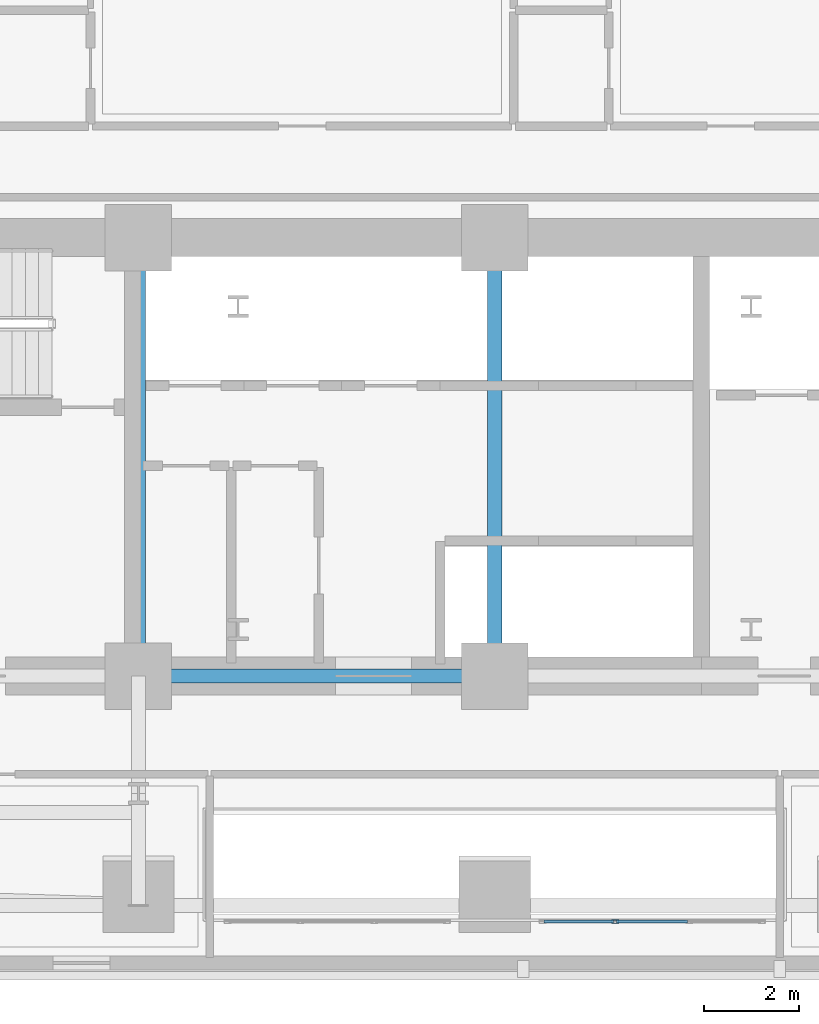
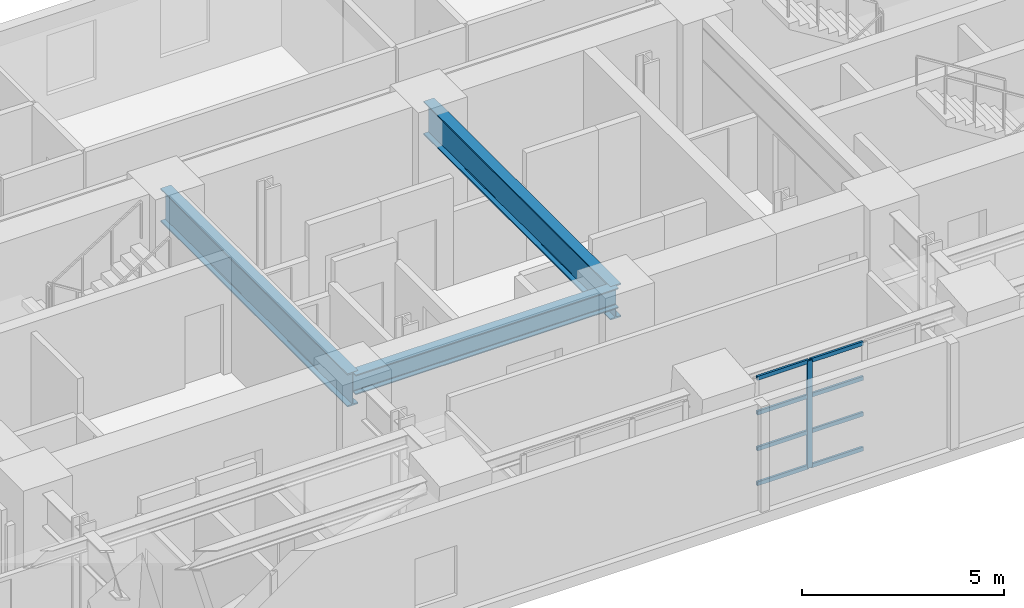
# One storey, part 3 of 16: 9 members, 3 beams, 1 element without a shape of its own.
"""IFC4 building model written with IfcOpenShell, lengths in metres."""

from ifc_helpers import new_model, si_unit, direction, frame, origin, origin_2d, place, context, subcontext, project, spatial, hollow_rectangle, i_section, extrude, material, layer, layer_set, material_profile, profile_set, type_object, element, aggregate, save


model = new_model("IFC4")

# Units and contexts
model_context = context("Model", 3, precision=1e-05, world=origin(), true_north=direction((0.0, 1.0)))
body_context = subcontext(model_context, "Body", "Model", "MODEL_VIEW")
ifc_project = project(units=[si_unit("LENGTHUNIT", "METRE"), si_unit("AREAUNIT", "SQUARE_METRE"), si_unit("VOLUMEUNIT", "CUBIC_METRE"), si_unit("PLANEANGLEUNIT", "RADIAN"), si_unit("MASSUNIT", "GRAM", prefix="KILO")], contexts=[model_context])

# Site, building, storey
site_placement = place(None, origin())
site = spatial("IfcSite", under=ifc_project, at=site_placement, CompositionType="ELEMENT")
building_placement = place(site_placement, origin())
building = spatial("IfcBuilding", under=site, at=building_placement, Name="Zarnavel Station Tower", CompositionType="ELEMENT")
storey_placement = place(building_placement, frame((0.0, 0.0, 32.5)))
storey = spatial("IfcBuildingStorey", under=building, at=storey_placement, Name="L08", CompositionType="ELEMENT", Elevation=32.5)

# Curtain wall, members
ifc_material_1 = material(Name="Aluminium Dark Anodised and Solar-Control Glass", Category="aluminium")
ifc_layer = layer(ifc_material_1, 0.179931640625)
ifc_layer_set = layer_set([ifc_layer], Name="CWS2")
curtain_wall_type = type_object("IfcCurtainWallType", Name="CWS2", PredefinedType="NOTDEFINED", material=ifc_layer_set)
curtain_wall_placement = place(storey_placement, origin())
curtain_wall = element("IfcCurtainWall", 1, at=curtain_wall_placement, inside=storey, type_object=curtain_wall_type, Name="L08 Curtain Wall CWS2-L08-AS-S2", PredefinedType="NOTDEFINED")
ifc_material_2 = material(Name="Steel S355J2 (Black Fluoropolymer Coated)", Category="steel")
ifc_material_profile_1 = material_profile(ifc_material_2, hollow_rectangle(XDim=0.074951171875, YDim=0.14990234375, WallThickness=0.00634765625, at=origin_2d()), Name="RHS150x75x6.3")
ifc_profile_set_1 = profile_set([ifc_material_profile_1], Name="Steel S355J2 (Black Fluoropolymer Coated)")
member_type_1 = type_object("IfcMemberType", Name="CWS2_MUL", PredefinedType="MULLION", material=ifc_profile_set_1)
member_1_placement = place(storey_placement, frame((31.336669921875, 22.64990234375, 0.0), z_axis=(0.0, 0.0, 1.0), x_axis=(0.0, 1.0, 0.0)))
member_1 = element("IfcMember", 2, at=member_1_placement, type_object=member_type_1, Name="CW2 mullion 2", PredefinedType="MULLION", context=body_context, shape_type="SweptSolid", body=[
    extrude(hollow_rectangle(XDim=0.074951171875, YDim=0.14990234375, WallThickness=0.00634765625, at=origin_2d()), origin(), (0.0, 0.0, 1.0), 3.239990234375),
])
ifc_material_3 = material(Name="Steel S355J2 (Black Fluoropolymer Coated)", Category="steel")
ifc_material_profile_2 = material_profile(ifc_material_3, hollow_rectangle(XDim=0.06005859375, YDim=0.1201171875, WallThickness=0.0048828125, at=origin_2d()), Name="RHS120x60x5")
ifc_profile_set_2 = profile_set([ifc_material_profile_2], Name="Steel S355J2 (Black Fluoropolymer Coated)")
member_type_2 = type_object("IfcMemberType", Name="CWS2_TRN", PredefinedType="USERDEFINED", material=ifc_profile_set_2)
member_2_placement = place(storey_placement, frame((29.840087890625, 22.64990234375, 0.030029296875), z_axis=(1.0, 0.0, 0.0), x_axis=(0.0, 1.0, 0.0)))
member_2 = element("IfcMember", 3, at=member_2_placement, type_object=member_type_2, Name="CW2 transom 1.1", ObjectType="TRANSOM", PredefinedType="USERDEFINED", context=body_context, shape_type="SweptSolid", body=[
    extrude(hollow_rectangle(XDim=0.06005859375, YDim=0.1201171875, WallThickness=0.0048828125, at=origin_2d()), origin(), (0.0, 0.0, 1.0), 1.466552734375),
])
member_3_placement = place(storey_placement, frame((29.840087890625, 22.64990234375, 1.080078125), z_axis=(1.0, 0.0, 0.0), x_axis=(0.0, 1.0, 0.0)))
member_3 = element("IfcMember", 4, at=member_3_placement, type_object=member_type_2, Name="CW2 transom 1.2", ObjectType="TRANSOM", PredefinedType="USERDEFINED", context=body_context, shape_type="SweptSolid", body=[
    extrude(hollow_rectangle(XDim=0.06005859375, YDim=0.1201171875, WallThickness=0.0048828125, at=origin_2d()), origin(), (0.0, 0.0, 1.0), 1.466552734375),
])
member_4_placement = place(storey_placement, frame((29.840087890625, 22.64990234375, 2.159912109375), z_axis=(1.0, 0.0, 0.0), x_axis=(0.0, 1.0, 0.0)))
member_4 = element("IfcMember", 5, at=member_4_placement, type_object=member_type_2, Name="CW2 transom 1.3", ObjectType="TRANSOM", PredefinedType="USERDEFINED", context=body_context, shape_type="SweptSolid", body=[
    extrude(hollow_rectangle(XDim=0.06005859375, YDim=0.1201171875, WallThickness=0.0048828125, at=origin_2d()), origin(), (0.0, 0.0, 1.0), 1.466552734375),
])
member_5_placement = place(storey_placement, frame((29.840087890625, 22.64990234375, 3.2099609375), z_axis=(1.0, 0.0, 0.0), x_axis=(0.0, 1.0, 0.0)))
member_5 = element("IfcMember", 6, at=member_5_placement, type_object=member_type_2, Name="CW2 transom 1.4", ObjectType="TRANSOM", PredefinedType="USERDEFINED", context=body_context, shape_type="SweptSolid", body=[
    extrude(hollow_rectangle(XDim=0.06005859375, YDim=0.1201171875, WallThickness=0.0048828125, at=origin_2d()), origin(), (0.0, 0.0, 1.0), 1.466552734375),
])
member_6_placement = place(storey_placement, frame((31.36669921875, 22.64990234375, 0.030029296875), z_axis=(1.0, 0.0, 0.0), x_axis=(0.0, 1.0, 0.0)))
member_6 = element("IfcMember", 7, at=member_6_placement, type_object=member_type_2, Name="CW2 transom 2.1", ObjectType="TRANSOM", PredefinedType="USERDEFINED", context=body_context, shape_type="SweptSolid", body=[
    extrude(hollow_rectangle(XDim=0.06005859375, YDim=0.1201171875, WallThickness=0.0048828125, at=origin_2d()), origin(), (0.0, 0.0, 1.0), 1.49658203125),
])
member_7_placement = place(storey_placement, frame((31.36669921875, 22.64990234375, 1.080078125), z_axis=(1.0, 0.0, 0.0), x_axis=(0.0, 1.0, 0.0)))
member_7 = element("IfcMember", 8, at=member_7_placement, type_object=member_type_2, Name="CW2 transom 2.2", ObjectType="TRANSOM", PredefinedType="USERDEFINED", context=body_context, shape_type="SweptSolid", body=[
    extrude(hollow_rectangle(XDim=0.06005859375, YDim=0.1201171875, WallThickness=0.0048828125, at=origin_2d()), origin(), (0.0, 0.0, 1.0), 1.49658203125),
])
member_8_placement = place(storey_placement, frame((31.36669921875, 22.64990234375, 2.159912109375), z_axis=(1.0, 0.0, 0.0), x_axis=(0.0, 1.0, 0.0)))
member_8 = element("IfcMember", 9, at=member_8_placement, type_object=member_type_2, Name="CW2 transom 2.3", ObjectType="TRANSOM", PredefinedType="USERDEFINED", context=body_context, shape_type="SweptSolid", body=[
    extrude(hollow_rectangle(XDim=0.06005859375, YDim=0.1201171875, WallThickness=0.0048828125, at=origin_2d()), origin(), (0.0, 0.0, 1.0), 1.49658203125),
])
member_9_placement = place(storey_placement, frame((31.36669921875, 22.64990234375, 3.2099609375), z_axis=(1.0, 0.0, 0.0), x_axis=(0.0, 1.0, 0.0)))
member_9 = element("IfcMember", 10, at=member_9_placement, type_object=member_type_2, Name="CW2 transom 2.4", ObjectType="TRANSOM", PredefinedType="USERDEFINED", context=body_context, shape_type="SweptSolid", body=[
    extrude(hollow_rectangle(XDim=0.06005859375, YDim=0.1201171875, WallThickness=0.0048828125, at=origin_2d()), origin(), (0.0, 0.0, 1.0), 1.49658203125),
])
aggregate(curtain_wall, [member_1, member_2, member_3, member_4, member_5, member_6, member_7, member_8, member_9])

# Beams
ifc_material_4 = material(Name="Steel S355J2", Category="steel")
ifc_material_profile_3 = material_profile(ifc_material_4, i_section(OverallWidth=0.300048828125, OverallDepth=0.60009765625, WebThickness=0.015380859375, FlangeThickness=0.030029296875, FilletRadius=0.027099609375, at=origin_2d()), Name="HEB600")
ifc_profile_set_3 = profile_set([ifc_material_profile_3], Name="Steel S355J2")
beam_type_1 = type_object("IfcBeamType", Name="FG_HEB600", PredefinedType="USERDEFINED", material=ifc_profile_set_3)
beam_placement = place(storey_placement, frame((21.300048828125, 27.820068359375, 2.93994140625), z_axis=(1.0, 0.0, 0.0), x_axis=(0.0, 1.0, 0.0)))
element("IfcBeam", 11, at=beam_placement, inside=storey, type_object=beam_type_1, Name="L08 Core Front Coupling Beam 2", ObjectType="GIRDER", PredefinedType="USERDEFINED", context=body_context, shape_type="SweptSolid", body=[
    extrude(i_section(OverallWidth=0.300048828125, OverallDepth=0.60009765625, WebThickness=0.015380859375, FlangeThickness=0.030029296875, FilletRadius=0.027099609375, at=origin_2d()), origin(), (0.0, 0.0, 1.0), 7.5),
])
ifc_material_5 = material(Name="Steel S460M", Category="steel")
ifc_material_profile_4 = material_profile(ifc_material_5, i_section(OverallWidth=0.302001953125, OverallDepth=1.008056640625, WebThickness=0.02099609375, FlangeThickness=0.0400390625, FilletRadius=0.030029296875, at=origin_2d()), Name="HEM1000")
ifc_profile_set_4 = profile_set([ifc_material_profile_4], Name="Steel S460M")
beam_type_2 = type_object("IfcBeamType", Name="TG_HEM1000", PredefinedType="USERDEFINED", material=ifc_profile_set_4)
for number, where, z_axis, x_axis, name in (
    (12, (21.300048828125, 27.820068359375, 2.736083984375), (0.0, 1.0, 0.0), (-1.0, 0.0, 0.0), "L08 Core Spine Coupling Girder 2"),
    (13, (28.800048828125, 27.820068359375, 2.736083984375), (0.0, 1.0, 0.0), (-1.0, 0.0, 0.0), "L08 Core Spine Coupling Girder 3"),
):
    element("IfcBeam", number, at=place(storey_placement, frame(where, z_axis=z_axis, x_axis=x_axis)), inside=storey, type_object=beam_type_2, Name=name, ObjectType="GIRDER", PredefinedType="USERDEFINED", context=body_context, shape_type="SweptSolid", body=[
        extrude(i_section(OverallWidth=0.302001953125, OverallDepth=1.008056640625, WebThickness=0.02099609375, FlangeThickness=0.0400390625, FilletRadius=0.030029296875, at=origin_2d()), origin(), (0.0, 0.0, 1.0), 9.22998046875),
    ])

save(model, "model.ifc")
